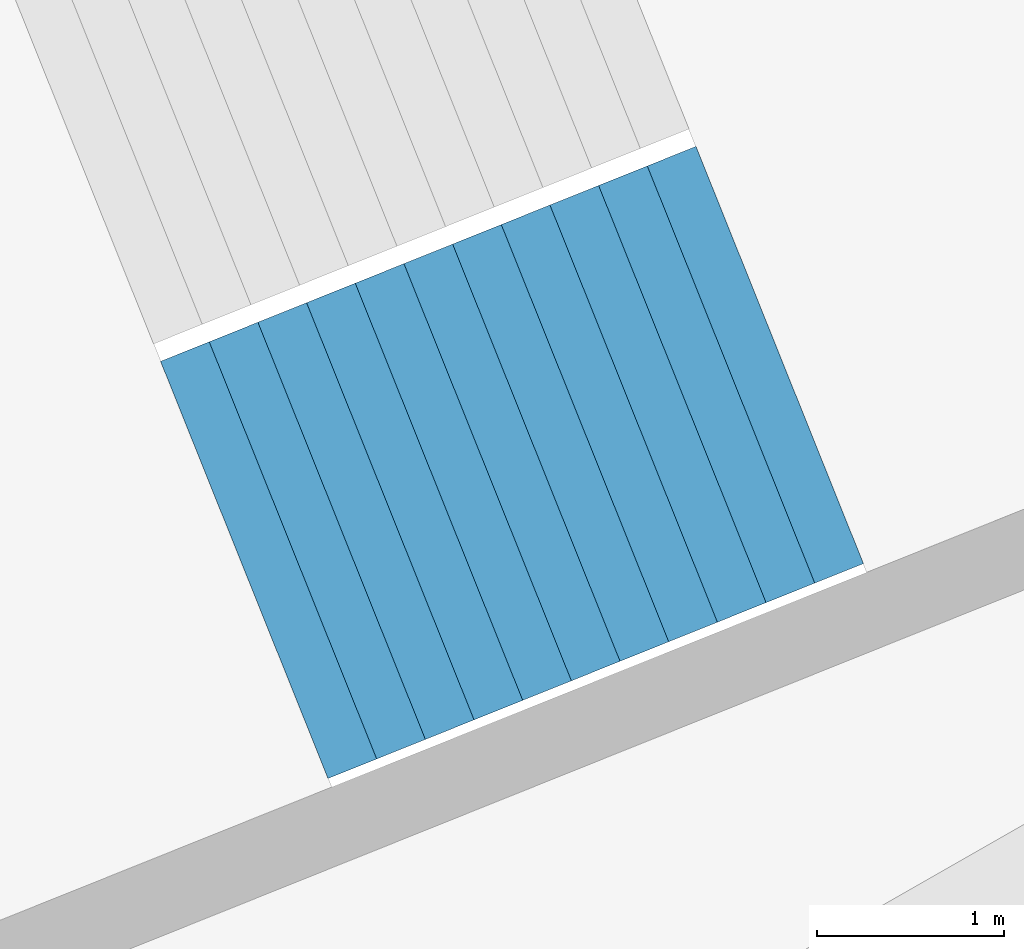
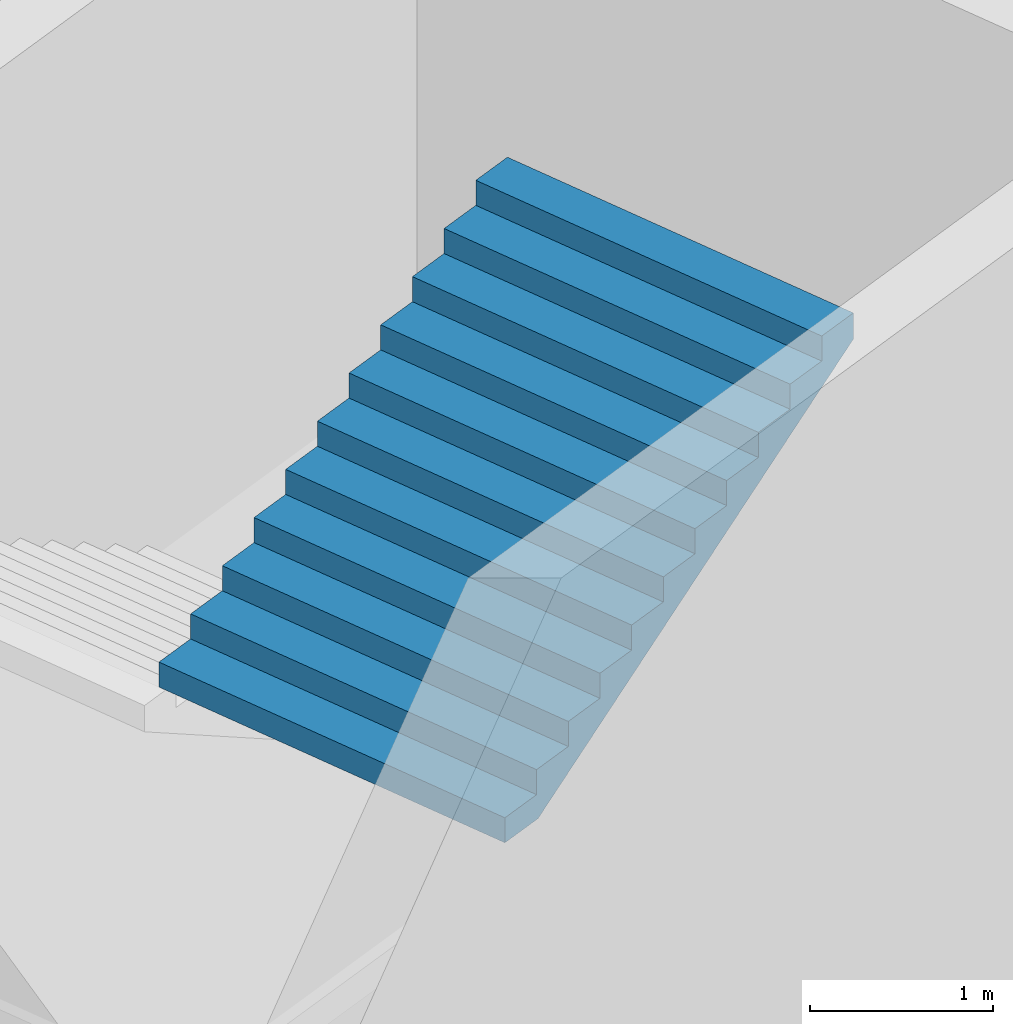
# One storey, part 19 of 74: 1 stair flight, 1 element without a shape of its own.
"""IFC4 building model written with IfcOpenShell, lengths in metres."""

from ifc_helpers import new_model, si_unit, direction, frame, origin, place, context, subcontext, project, spatial, triangles, material, type_object, element, aggregate, save


model = new_model("IFC4")

# Units and contexts
model_context = context("Model", 3, precision=1e-05, world=origin(), true_north=direction((0.0, 1.0)))
body_context = subcontext(model_context, "Body", "Model", "MODEL_VIEW")
ifc_project = project(units=[si_unit("LENGTHUNIT", "METRE"), si_unit("AREAUNIT", "SQUARE_METRE"), si_unit("VOLUMEUNIT", "CUBIC_METRE"), si_unit("PLANEANGLEUNIT", "RADIAN"), si_unit("MASSUNIT", "GRAM", prefix="KILO")], contexts=[model_context])

# Site, building, storey
site_placement = place(None, origin())
site = spatial("IfcSite", under=ifc_project, at=site_placement, CompositionType="ELEMENT")
building_placement = place(site_placement, origin())
building = spatial("IfcBuilding", under=site, at=building_placement, Name="Lantaw Convention Tower", CompositionType="ELEMENT")
storey_placement = place(building_placement, frame((0.0, 0.0, 6.5)))
storey = spatial("IfcBuildingStorey", under=building, at=storey_placement, Name="L01", CompositionType="ELEMENT", Elevation=6.5)

# Stair, stair flight
ifc_material = material(Name="Concrete C35/45", Category="concrete")
stair_type = type_object("IfcStairType", Name="Exit stair 2400 riser 166.67 in 4 flights", PredefinedType="HALF_TURN_STAIR", material=ifc_material)
stair_placement = place(storey_placement, origin())
stair = element("IfcStair", 1, at=stair_placement, inside=storey, type_object=stair_type, Name="Podium exit stair P11 L01", PredefinedType="HALF_TURN_STAIR")
stair_flight_type = type_object("IfcStairFlightType", Name="Stair flight 2400 riser 166.67", PredefinedType="STRAIGHT", material=ifc_material)
stair_flight_placement = place(storey_placement, frame((-31.944580078125, -14.1708984375, 6.0), z_axis=(0.0, 0.0, 1.0), x_axis=(0.928015168305, 0.372542410198, 0.0)))
stair_flight = element("IfcStairFlight", 2, at=stair_flight_placement, type_object=stair_flight_type, Name="P11 flight 4", NumberOfRisers=12, NumberOfTreads=11, PredefinedType="STRAIGHT", RiserHeight=0.166666667, TreadLength=0.28, context=body_context, shape_type="Tessellation", body=[
    triangles([(0.0, 1.199951171875, 0.0), (0.0, 1.199951171875, 0.166666667), (0.28, 1.199951171875, 0.0), (0.28, 1.199951171875, 0.166666667), (0.28, 1.199951171875, 0.333333334), (0.29307345806906726, 1.199951171875, 0.0), (0.29307345806906726, 1.199951171875, 0.333333334), (0.56, 1.199951171875, 0.15888484670522965), (0.56, 1.199951171875, 0.333333334), (0.56, 1.199951171875, 0.500000001), (0.8400000000000001, 1.199951171875, 0.3255515137052296), (0.8400000000000001, 1.199951171875, 0.500000001), (0.8400000000000001, 1.199951171875, 0.666666668), (1.12, 1.199951171875, 0.4922181807052296), (1.12, 1.199951171875, 0.666666668), (1.12, 1.199951171875, 0.833333335), (1.4000000000000001, 1.199951171875, 0.6588848477052296), (1.4000000000000001, 1.199951171875, 0.833333335), (1.4000000000000001, 1.199951171875, 1.000000002), (1.6800000000000002, 1.199951171875, 0.8255515147052296), (1.6800000000000002, 1.199951171875, 1.000000002), (1.6800000000000002, 1.199951171875, 1.166666669), (1.9600000000000002, 1.199951171875, 0.9922181817052296), (1.9600000000000002, 1.199951171875, 1.166666669), (1.9600000000000002, 1.199951171875, 1.333333336), (2.24, 1.199951171875, 1.1588848487052295), (2.24, 1.199951171875, 1.333333336), (2.24, 1.199951171875, 1.5000000029999998), (2.5200000000000005, 1.199951171875, 1.3255515157052296), (2.5200000000000005, 1.199951171875, 1.5000000029999998), (2.5200000000000005, 1.199951171875, 1.66666667), (2.8000000000000003, 1.199951171875, 1.4922181827052294), (2.8000000000000003, 1.199951171875, 1.66666667), (2.8000000000000003, 1.199951171875, 1.833333337), (3.08, 1.199951171875, 1.6588848497052293), (3.08, 1.199951171875, 1.833333337), (0.0, -1.199951171875, 0.0), (0.0, -1.199951171875, 0.166666667), (0.28, -1.199951171875, 0.0), (0.28, -1.199951171875, 0.166666667), (0.28, -1.199951171875, 0.333333334), (0.29307345806906726, -1.199951171875, 0.0), (0.29307345806906726, -1.199951171875, 0.333333334), (0.56, -1.199951171875, 0.15888484670522965), (0.56, -1.199951171875, 0.333333334), (0.56, -1.199951171875, 0.500000001), (0.8400000000000001, -1.199951171875, 0.3255515137052296), (0.8400000000000001, -1.199951171875, 0.500000001), (0.8400000000000001, -1.199951171875, 0.666666668), (1.12, -1.199951171875, 0.4922181807052296), (1.12, -1.199951171875, 0.666666668), (1.12, -1.199951171875, 0.833333335), (1.4000000000000001, -1.199951171875, 0.6588848477052296), (1.4000000000000001, -1.199951171875, 0.833333335), (1.4000000000000001, -1.199951171875, 1.000000002), (1.6800000000000002, -1.199951171875, 0.8255515147052296), (1.6800000000000002, -1.199951171875, 1.000000002), (1.6800000000000002, -1.199951171875, 1.166666669), (1.9600000000000002, -1.199951171875, 0.9922181817052296), (1.9600000000000002, -1.199951171875, 1.166666669), (1.9600000000000002, -1.199951171875, 1.333333336), (2.24, -1.199951171875, 1.1588848487052295), (2.24, -1.199951171875, 1.333333336), (2.24, -1.199951171875, 1.5000000029999998), (2.5200000000000005, -1.199951171875, 1.3255515157052296), (2.5200000000000005, -1.199951171875, 1.5000000029999998), (2.5200000000000005, -1.199951171875, 1.66666667), (2.8000000000000003, -1.199951171875, 1.4922181827052294), (2.8000000000000003, -1.199951171875, 1.66666667), (2.8000000000000003, -1.199951171875, 1.833333337), (3.08, -1.199951171875, 1.6588848497052293), (3.08, -1.199951171875, 1.833333337), (0.0, 0.239990234375, 0.166666667), (0.0, 0.239990234375, 0.0), (0.0, 0.1199951171875, 0.166666667), (0.0, 0.1199951171875, 0.0), (0.0, 0.0, 0.166666667), (0.0, 0.0, 0.0), (0.0, -0.1199951171875, 0.166666667), (0.0, -0.1199951171875, 0.0), (0.0, -0.239990234375, 0.166666667), (0.0, -0.239990234375, 0.0), (0.28, 0.239990234375, 0.333333334), (0.28, 0.239990234375, 0.166666667), (0.28, 0.1199951171875, 0.333333334), (0.28, 0.1199951171875, 0.166666667), (0.28, 0.0, 0.333333334), (0.28, 0.0, 0.166666667), (0.28, -0.1199951171875, 0.333333334), (0.28, -0.1199951171875, 0.166666667), (0.28, -0.239990234375, 0.333333334), (0.28, -0.239990234375, 0.166666667), (0.56, 0.239990234375, 0.500000001), (0.56, 0.239990234375, 0.333333334), (0.56, 0.1199951171875, 0.500000001), (0.56, 0.1199951171875, 0.333333334), (0.56, 0.0, 0.500000001), (0.56, 0.0, 0.333333334), (0.56, -0.1199951171875, 0.500000001), (0.56, -0.1199951171875, 0.333333334), (0.56, -0.239990234375, 0.500000001), (0.56, -0.239990234375, 0.333333334), (0.8400000000000001, 0.239990234375, 0.666666668), (0.8400000000000001, 0.239990234375, 0.500000001), (0.8400000000000001, 0.1199951171875, 0.666666668), (0.8400000000000001, 0.1199951171875, 0.500000001), (0.8400000000000001, 0.0, 0.666666668), (0.8400000000000001, 0.0, 0.500000001), (0.8400000000000001, -0.1199951171875, 0.666666668), (0.8400000000000001, -0.1199951171875, 0.500000001), (0.8400000000000001, -0.239990234375, 0.666666668), (0.8400000000000001, -0.239990234375, 0.500000001), (1.12, 0.239990234375, 0.833333335), (1.12, 0.239990234375, 0.666666668), (1.12, 0.1199951171875, 0.833333335), (1.12, 0.1199951171875, 0.666666668), (1.12, 0.0, 0.833333335), (1.12, 0.0, 0.666666668), (1.12, -0.1199951171875, 0.833333335), (1.12, -0.1199951171875, 0.666666668), (1.12, -0.239990234375, 0.833333335), (1.12, -0.239990234375, 0.666666668), (1.4000000000000001, 0.239990234375, 1.000000002), (1.4000000000000001, 0.239990234375, 0.833333335), (1.4000000000000001, 0.1199951171875, 1.000000002), (1.4000000000000001, 0.1199951171875, 0.833333335), (1.4000000000000001, 0.0, 1.000000002), (1.4000000000000001, 0.0, 0.833333335), (1.4000000000000001, -0.1199951171875, 1.000000002), (1.4000000000000001, -0.1199951171875, 0.833333335), (1.4000000000000001, -0.239990234375, 1.000000002), (1.4000000000000001, -0.239990234375, 0.833333335), (1.6800000000000002, 0.239990234375, 1.166666669), (1.6800000000000002, 0.239990234375, 1.000000002), (1.6800000000000002, 0.1199951171875, 1.166666669), (1.6800000000000002, 0.1199951171875, 1.000000002), (1.6800000000000002, 0.0, 1.166666669), (1.6800000000000002, 0.0, 1.000000002), (1.6800000000000002, -0.1199951171875, 1.166666669), (1.6800000000000002, -0.1199951171875, 1.000000002), (1.6800000000000002, -0.239990234375, 1.166666669), (1.6800000000000002, -0.239990234375, 1.000000002), (1.9600000000000002, 0.239990234375, 1.333333336), (1.9600000000000002, 0.239990234375, 1.166666669), (1.9600000000000002, 0.1199951171875, 1.333333336), (1.9600000000000002, 0.1199951171875, 1.166666669), (1.9600000000000002, 0.0, 1.333333336), (1.9600000000000002, 0.0, 1.166666669), (1.9600000000000002, -0.1199951171875, 1.333333336), (1.9600000000000002, -0.1199951171875, 1.166666669), (1.9600000000000002, -0.239990234375, 1.333333336), (1.9600000000000002, -0.239990234375, 1.166666669), (2.24, 0.239990234375, 1.5000000029999998), (2.24, 0.239990234375, 1.333333336), (2.24, 0.1199951171875, 1.5000000029999998), (2.24, 0.1199951171875, 1.333333336), (2.24, 0.0, 1.5000000029999998), (2.24, 0.0, 1.333333336), (2.24, -0.1199951171875, 1.5000000029999998), (2.24, -0.1199951171875, 1.333333336), (2.24, -0.239990234375, 1.5000000029999998), (2.24, -0.239990234375, 1.333333336), (2.5200000000000005, 0.239990234375, 1.66666667), (2.5200000000000005, 0.239990234375, 1.5000000029999998), (2.5200000000000005, 0.1199951171875, 1.66666667), (2.5200000000000005, 0.1199951171875, 1.5000000029999998), (2.5200000000000005, 0.0, 1.66666667), (2.5200000000000005, 0.0, 1.5000000029999998), (2.5200000000000005, -0.1199951171875, 1.66666667), (2.5200000000000005, -0.1199951171875, 1.5000000029999998), (2.5200000000000005, -0.239990234375, 1.66666667), (2.5200000000000005, -0.239990234375, 1.5000000029999998), (2.8000000000000003, 0.239990234375, 1.833333337), (2.8000000000000003, 0.239990234375, 1.66666667), (2.8000000000000003, 0.1199951171875, 1.833333337), (2.8000000000000003, 0.1199951171875, 1.66666667), (2.8000000000000003, 0.0, 1.833333337), (2.8000000000000003, 0.0, 1.66666667), (2.8000000000000003, -0.1199951171875, 1.833333337), (2.8000000000000003, -0.1199951171875, 1.66666667), (2.8000000000000003, -0.239990234375, 1.833333337), (2.8000000000000003, -0.239990234375, 1.66666667), (0.29307345806906726, 0.239990234375, 0.333333334), (0.29307345806906726, 0.1199951171875, 0.333333334), (0.29307345806906726, 0.0, 0.333333334), (0.29307345806906726, -0.1199951171875, 0.333333334), (0.29307345806906726, -0.239990234375, 0.333333334), (3.08, 0.239990234375, 1.833333337), (3.08, 0.1199951171875, 1.833333337), (3.08, 0.0, 1.833333337), (3.08, -0.1199951171875, 1.833333337), (3.08, -0.239990234375, 1.833333337), (3.08, 0.239990234375, 1.6588848497052293), (3.08, 0.1199951171875, 1.6588848497052293), (3.08, 0.0, 1.6588848497052293), (3.08, -0.1199951171875, 1.6588848497052293), (3.08, -0.239990234375, 1.6588848497052293), (2.8000000000000003, 0.239990234375, 1.4922181827052294), (2.8000000000000003, 0.1199951171875, 1.4922181827052294), (2.8000000000000003, 0.0, 1.4922181827052294), (2.8000000000000003, -0.1199951171875, 1.4922181827052294), (2.8000000000000003, -0.239990234375, 1.4922181827052294), (2.5200000000000005, 0.239990234375, 1.3255515157052296), (2.5200000000000005, 0.1199951171875, 1.3255515157052296), (2.5200000000000005, 0.0, 1.3255515157052296), (2.5200000000000005, -0.1199951171875, 1.3255515157052296), (2.5200000000000005, -0.239990234375, 1.3255515157052296), (2.24, 0.239990234375, 1.1588848487052295), (2.24, 0.1199951171875, 1.1588848487052295), (2.24, 0.0, 1.1588848487052295), (2.24, -0.1199951171875, 1.1588848487052295), (2.24, -0.239990234375, 1.1588848487052295), (1.9600000000000002, 0.239990234375, 0.9922181817052296), (1.9600000000000002, 0.1199951171875, 0.9922181817052296), (1.9600000000000002, 0.0, 0.9922181817052296), (1.9600000000000002, -0.1199951171875, 0.9922181817052296), (1.9600000000000002, -0.239990234375, 0.9922181817052296), (1.6800000000000002, 0.239990234375, 0.8255515147052296), (1.6800000000000002, 0.1199951171875, 0.8255515147052296), (1.6800000000000002, 0.0, 0.8255515147052296), (1.6800000000000002, -0.1199951171875, 0.8255515147052296), (1.6800000000000002, -0.239990234375, 0.8255515147052296), (1.4000000000000001, 0.239990234375, 0.6588848477052296), (1.4000000000000001, 0.1199951171875, 0.6588848477052296), (1.4000000000000001, 0.0, 0.6588848477052296), (1.4000000000000001, -0.1199951171875, 0.6588848477052296), (1.4000000000000001, -0.239990234375, 0.6588848477052296), (1.12, 0.239990234375, 0.4922181807052296), (1.12, 0.1199951171875, 0.4922181807052296), (1.12, 0.0, 0.4922181807052296), (1.12, -0.1199951171875, 0.4922181807052296), (1.12, -0.239990234375, 0.4922181807052296), (0.8400000000000001, 0.239990234375, 0.3255515137052296), (0.8400000000000001, 0.1199951171875, 0.3255515137052296), (0.8400000000000001, 0.0, 0.3255515137052296), (0.8400000000000001, -0.1199951171875, 0.3255515137052296), (0.8400000000000001, -0.239990234375, 0.3255515137052296), (0.56, 0.239990234375, 0.15888484670522965), (0.56, 0.1199951171875, 0.15888484670522965), (0.56, 0.0, 0.15888484670522965), (0.56, -0.1199951171875, 0.15888484670522965), (0.56, -0.239990234375, 0.15888484670522965), (0.29307345806906726, 0.239990234375, 0.0), (0.29307345806906726, 0.1199951171875, 0.0), (0.29307345806906726, 0.0, 0.0), (0.29307345806906726, -0.1199951171875, 0.0), (0.29307345806906726, -0.239990234375, 0.0), (0.28, 0.239990234375, 0.0), (0.28, 0.1199951171875, 0.0), (0.28, 0.0, 0.0), (0.28, -0.1199951171875, 0.0), (0.28, -0.239990234375, 0.0)], [[1, 4, 3], [1, 2, 4], [3, 4, 6], [4, 7, 6], [4, 5, 7], [6, 9, 8], [6, 7, 9], [8, 9, 11], [9, 12, 11], [9, 10, 12], [11, 12, 14], [12, 15, 14], [12, 13, 15], [14, 15, 17], [15, 18, 17], [15, 16, 18], [17, 18, 20], [18, 21, 20], [18, 19, 21], [20, 21, 23], [21, 24, 23], [21, 22, 24], [23, 24, 26], [24, 27, 26], [24, 25, 27], [26, 27, 29], [27, 30, 29], [27, 28, 30], [29, 30, 32], [30, 33, 32], [30, 31, 33], [32, 33, 35], [33, 36, 35], [33, 34, 36], [37, 39, 40], [37, 40, 38], [39, 42, 40], [40, 42, 43], [40, 43, 41], [42, 44, 45], [42, 45, 43], [44, 47, 45], [45, 47, 48], [45, 48, 46], [47, 50, 48], [48, 50, 51], [48, 51, 49], [50, 53, 51], [51, 53, 54], [51, 54, 52], [53, 56, 54], [54, 56, 57], [54, 57, 55], [56, 59, 57], [57, 59, 60], [57, 60, 58], [59, 62, 60], [60, 62, 63], [60, 63, 61], [62, 65, 63], [63, 65, 66], [63, 66, 64], [65, 68, 66], [66, 68, 69], [66, 69, 67], [68, 71, 69], [69, 71, 72], [69, 72, 70], [1, 73, 2], [1, 74, 73], [74, 75, 73], [74, 76, 75], [76, 77, 75], [76, 78, 77], [78, 79, 77], [78, 80, 79], [80, 81, 79], [80, 82, 81], [82, 38, 81], [82, 37, 38], [4, 83, 5], [4, 84, 83], [84, 85, 83], [84, 86, 85], [86, 87, 85], [86, 88, 87], [88, 89, 87], [88, 90, 89], [90, 91, 89], [90, 92, 91], [92, 41, 91], [92, 40, 41], [9, 93, 10], [9, 94, 93], [94, 95, 93], [94, 96, 95], [96, 97, 95], [96, 98, 97], [98, 99, 97], [98, 100, 99], [100, 101, 99], [100, 102, 101], [102, 46, 101], [102, 45, 46], [12, 103, 13], [12, 104, 103], [104, 105, 103], [104, 106, 105], [106, 107, 105], [106, 108, 107], [108, 109, 107], [108, 110, 109], [110, 111, 109], [110, 112, 111], [112, 49, 111], [112, 48, 49], [15, 113, 16], [15, 114, 113], [114, 115, 113], [114, 116, 115], [116, 117, 115], [116, 118, 117], [118, 119, 117], [118, 120, 119], [120, 121, 119], [120, 122, 121], [122, 52, 121], [122, 51, 52], [18, 123, 19], [18, 124, 123], [124, 125, 123], [124, 126, 125], [126, 127, 125], [126, 128, 127], [128, 129, 127], [128, 130, 129], [130, 131, 129], [130, 132, 131], [132, 55, 131], [132, 54, 55], [21, 133, 22], [21, 134, 133], [134, 135, 133], [134, 136, 135], [136, 137, 135], [136, 138, 137], [138, 139, 137], [138, 140, 139], [140, 141, 139], [140, 142, 141], [142, 58, 141], [142, 57, 58], [24, 143, 25], [24, 144, 143], [144, 145, 143], [144, 146, 145], [146, 147, 145], [146, 148, 147], [148, 149, 147], [148, 150, 149], [150, 151, 149], [150, 152, 151], [152, 61, 151], [152, 60, 61], [27, 153, 28], [27, 154, 153], [154, 155, 153], [154, 156, 155], [156, 157, 155], [156, 158, 157], [158, 159, 157], [158, 160, 159], [160, 161, 159], [160, 162, 161], [162, 64, 161], [162, 63, 64], [30, 163, 31], [30, 164, 163], [164, 165, 163], [164, 166, 165], [166, 167, 165], [166, 168, 167], [168, 169, 167], [168, 170, 169], [170, 171, 169], [170, 172, 171], [172, 67, 171], [172, 66, 67], [33, 173, 34], [33, 174, 173], [174, 175, 173], [174, 176, 175], [176, 177, 175], [176, 178, 177], [178, 179, 177], [178, 180, 179], [180, 181, 179], [180, 182, 181], [182, 70, 181], [182, 69, 70], [2, 84, 4], [2, 73, 84], [73, 86, 84], [73, 75, 86], [75, 88, 86], [75, 77, 88], [77, 90, 88], [77, 79, 90], [79, 92, 90], [79, 81, 92], [81, 40, 92], [81, 38, 40], [5, 183, 7], [5, 83, 183], [83, 184, 183], [83, 85, 184], [85, 185, 184], [85, 87, 185], [87, 186, 185], [87, 89, 186], [89, 187, 186], [89, 91, 187], [91, 43, 187], [91, 41, 43], [7, 94, 9], [7, 183, 94], [183, 96, 94], [183, 184, 96], [184, 98, 96], [184, 185, 98], [185, 100, 98], [185, 186, 100], [186, 102, 100], [186, 187, 102], [187, 45, 102], [187, 43, 45], [10, 104, 12], [10, 93, 104], [93, 106, 104], [93, 95, 106], [95, 108, 106], [95, 97, 108], [97, 110, 108], [97, 99, 110], [99, 112, 110], [99, 101, 112], [101, 48, 112], [101, 46, 48], [13, 114, 15], [13, 103, 114], [103, 116, 114], [103, 105, 116], [105, 118, 116], [105, 107, 118], [107, 120, 118], [107, 109, 120], [109, 122, 120], [109, 111, 122], [111, 51, 122], [111, 49, 51], [16, 124, 18], [16, 113, 124], [113, 126, 124], [113, 115, 126], [115, 128, 126], [115, 117, 128], [117, 130, 128], [117, 119, 130], [119, 132, 130], [119, 121, 132], [121, 54, 132], [121, 52, 54], [19, 134, 21], [19, 123, 134], [123, 136, 134], [123, 125, 136], [125, 138, 136], [125, 127, 138], [127, 140, 138], [127, 129, 140], [129, 142, 140], [129, 131, 142], [131, 57, 142], [131, 55, 57], [22, 144, 24], [22, 133, 144], [133, 146, 144], [133, 135, 146], [135, 148, 146], [135, 137, 148], [137, 150, 148], [137, 139, 150], [139, 152, 150], [139, 141, 152], [141, 60, 152], [141, 58, 60], [25, 154, 27], [25, 143, 154], [143, 156, 154], [143, 145, 156], [145, 158, 156], [145, 147, 158], [147, 160, 158], [147, 149, 160], [149, 162, 160], [149, 151, 162], [151, 63, 162], [151, 61, 63], [28, 164, 30], [28, 153, 164], [153, 166, 164], [153, 155, 166], [155, 168, 166], [155, 157, 168], [157, 170, 168], [157, 159, 170], [159, 172, 170], [159, 161, 172], [161, 66, 172], [161, 64, 66], [31, 174, 33], [31, 163, 174], [163, 176, 174], [163, 165, 176], [165, 178, 176], [165, 167, 178], [167, 180, 178], [167, 169, 180], [169, 182, 180], [169, 171, 182], [171, 69, 182], [171, 67, 69], [34, 188, 36], [34, 173, 188], [173, 189, 188], [173, 175, 189], [175, 190, 189], [175, 177, 190], [177, 191, 190], [177, 179, 191], [179, 192, 191], [179, 181, 192], [181, 72, 192], [181, 70, 72], [36, 193, 35], [36, 188, 193], [188, 194, 193], [188, 189, 194], [189, 195, 194], [189, 190, 195], [190, 196, 195], [190, 191, 196], [191, 197, 196], [191, 192, 197], [192, 71, 197], [192, 72, 71], [35, 198, 32], [35, 193, 198], [193, 199, 198], [193, 194, 199], [194, 200, 199], [194, 195, 200], [195, 201, 200], [195, 196, 201], [196, 202, 201], [196, 197, 202], [197, 68, 202], [197, 71, 68], [32, 203, 29], [32, 198, 203], [198, 204, 203], [198, 199, 204], [199, 205, 204], [199, 200, 205], [200, 206, 205], [200, 201, 206], [201, 207, 206], [201, 202, 207], [202, 65, 207], [202, 68, 65], [29, 208, 26], [29, 203, 208], [203, 209, 208], [203, 204, 209], [204, 210, 209], [204, 205, 210], [205, 211, 210], [205, 206, 211], [206, 212, 211], [206, 207, 212], [207, 62, 212], [207, 65, 62], [26, 213, 23], [26, 208, 213], [208, 214, 213], [208, 209, 214], [209, 215, 214], [209, 210, 215], [210, 216, 215], [210, 211, 216], [211, 217, 216], [211, 212, 217], [212, 59, 217], [212, 62, 59], [23, 218, 20], [23, 213, 218], [213, 219, 218], [213, 214, 219], [214, 220, 219], [214, 215, 220], [215, 221, 220], [215, 216, 221], [216, 222, 221], [216, 217, 222], [217, 56, 222], [217, 59, 56], [20, 223, 17], [20, 218, 223], [218, 224, 223], [218, 219, 224], [219, 225, 224], [219, 220, 225], [220, 226, 225], [220, 221, 226], [221, 227, 226], [221, 222, 227], [222, 53, 227], [222, 56, 53], [17, 228, 14], [17, 223, 228], [223, 229, 228], [223, 224, 229], [224, 230, 229], [224, 225, 230], [225, 231, 230], [225, 226, 231], [226, 232, 231], [226, 227, 232], [227, 50, 232], [227, 53, 50], [14, 233, 11], [14, 228, 233], [228, 234, 233], [228, 229, 234], [229, 235, 234], [229, 230, 235], [230, 236, 235], [230, 231, 236], [231, 237, 236], [231, 232, 237], [232, 47, 237], [232, 50, 47], [11, 238, 8], [11, 233, 238], [233, 239, 238], [233, 234, 239], [234, 240, 239], [234, 235, 240], [235, 241, 240], [235, 236, 241], [236, 242, 241], [236, 237, 242], [237, 44, 242], [237, 47, 44], [8, 243, 6], [8, 238, 243], [238, 244, 243], [238, 239, 244], [239, 245, 244], [239, 240, 245], [240, 246, 245], [240, 241, 246], [241, 247, 246], [241, 242, 247], [242, 42, 247], [242, 44, 42], [6, 248, 3], [6, 243, 248], [243, 249, 248], [243, 244, 249], [244, 250, 249], [244, 245, 250], [245, 251, 250], [245, 246, 251], [246, 252, 251], [246, 247, 252], [247, 39, 252], [247, 42, 39], [3, 74, 1], [3, 248, 74], [248, 76, 74], [248, 249, 76], [249, 78, 76], [249, 250, 78], [250, 80, 78], [250, 251, 80], [251, 82, 80], [251, 252, 82], [252, 37, 82], [252, 39, 37]], closed=True),
])
aggregate(stair, [stair_flight])

save(model, "model.ifc")
